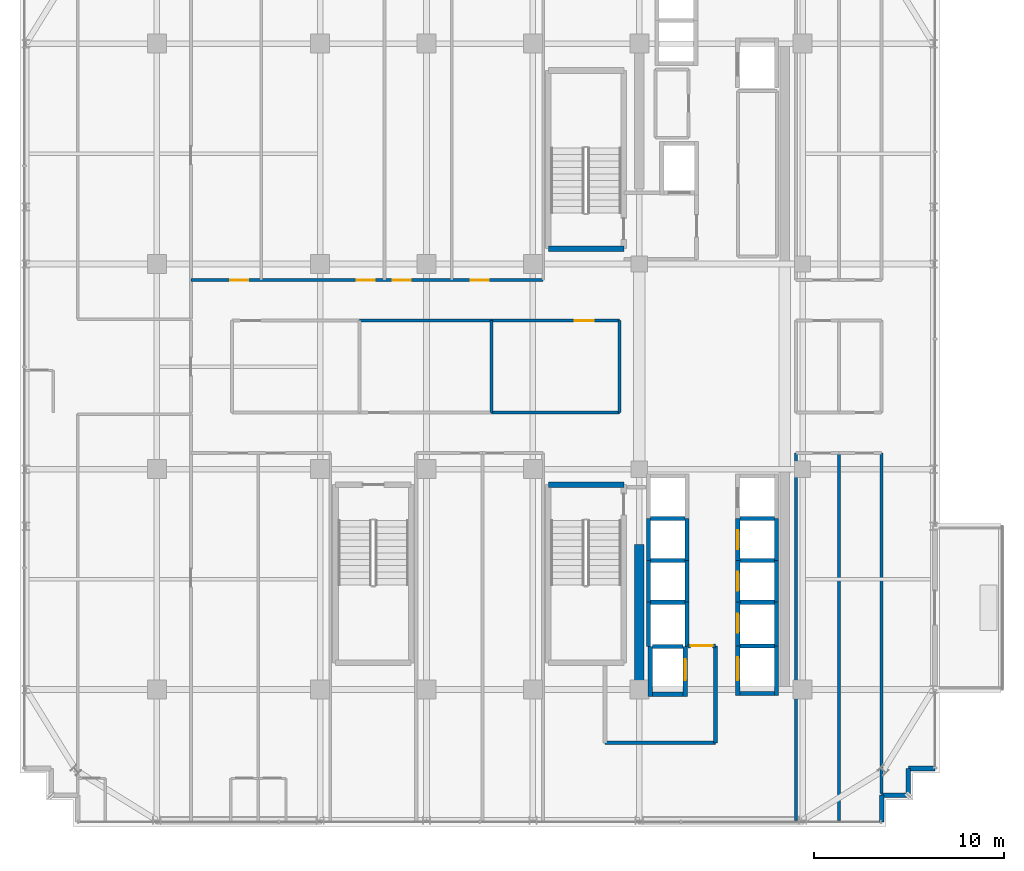
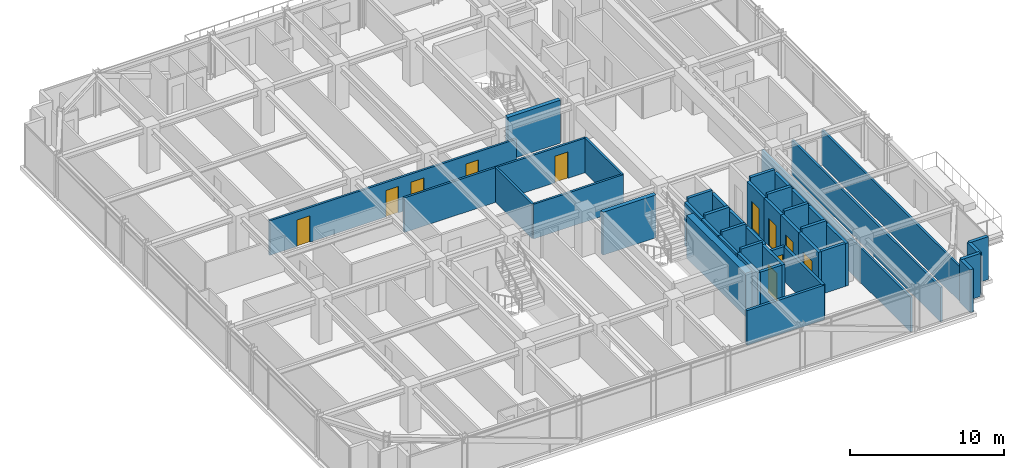
# One storey, part 37 of 43: 45 walls, 11 doors, 11 openings.
"""IFC4 building model written with IfcOpenShell, lengths in metres."""

import ifcopenshell
import ifcopenshell.guid

model = None  # the IFC model being written
_history = None  # IfcOwnerHistory: only IFC2X3 demands one
_inside = {}  # id of a spatial element -> (the spatial element, [elements in it])
_under = {}  # id of a project, library or spatial element -> (it, [spatial elements below it])
_declared = {}  # id of a project -> (the project, [libraries it declares])
_typed = {}  # id of a type object -> (the type object, [elements of that type])
_made_of = {}  # id of a material, layer set ... -> (it, [elements and type objects made of it])


def new_model(schema):
    """Start an empty IFC model of exactly this schema.

    Asked for "IFC4X3", IfcOpenShell would pick the latest addendum, in which some entities
    have other attributes; the version numbers below select the first issue.
    IFC2X3 requires an IfcOwnerHistory on every rooted entity: one is made here for all.
    """
    global model, _history
    if schema == "IFC4X3":
        model = ifcopenshell.file(schema_version=(4, 3, 0, 0))
    else:
        model = ifcopenshell.file(schema=schema)
    _inside.clear()
    _under.clear()
    _declared.clear()
    _typed.clear()
    _made_of.clear()
    _history = None
    if model.schema == "IFC2X3":
        org = make("IfcOrganization", Name="unknown")
        user = make(
            "IfcPersonAndOrganization",
            ThePerson=make("IfcPerson", FamilyName="unknown"),
            TheOrganization=org,
        )
        app = make(
            "IfcApplication",
            ApplicationDeveloper=org,
            Version="unknown",
            ApplicationFullName="unknown",
            ApplicationIdentifier="unknown",
        )
        _history = make(
            "IfcOwnerHistory",
            OwningUser=user,
            OwningApplication=app,
            ChangeAction="ADDED",
            CreationDate=0,
        )
    return model


def make(cls, **values):
    """One entity of the class cls with the attributes given. An attribute that is None is left unset."""
    return model.create_entity(
        cls, **{name: value for name, value in values.items() if value is not None}
    )


def rooted(cls, **values):
    """An entity with a GlobalId (a new one), such as an element, a storey or a relation."""
    return make(cls, GlobalId=ifcopenshell.guid.new(), OwnerHistory=_history, **values)


def si_unit(unit_type, name, prefix=None):
    """IfcSIUnit, for example si_unit("LENGTHUNIT", "METRE", prefix="MILLI")."""
    return make("IfcSIUnit", UnitType=unit_type, Prefix=prefix, Name=name)


def assignment(units):
    """IfcUnitAssignment: the units of a project."""
    return None if units is None else make("IfcUnitAssignment", Units=units)


def point(xyz):
    """IfcCartesianPoint."""
    return None if xyz is None else make("IfcCartesianPoint", Coordinates=xyz)


def direction(xyz):
    """IfcDirection."""
    return None if xyz is None else make("IfcDirection", DirectionRatios=xyz)


def frame(location, z_axis=None, x_axis=None):
    """IfcAxis2Placement3D, a coordinate frame: its origin and axes. An axis left out is left unset."""
    return make(
        "IfcAxis2Placement3D",
        Location=point(location),
        Axis=direction(z_axis),
        RefDirection=direction(x_axis),
    )


def frame_2d(location, x_axis=None):
    """IfcAxis2Placement2D, a coordinate frame in the plane: its origin and x axis."""
    return make(
        "IfcAxis2Placement2D", Location=point(location), RefDirection=direction(x_axis)
    )


def origin():
    """The frame at (0, 0, 0) with its axes left unset."""
    return frame((0.0, 0.0, 0.0))


def place(relative_to, where):
    """IfcLocalPlacement: puts the frame where relative to a parent placement (None: the world)."""
    return make(
        "IfcLocalPlacement", PlacementRelTo=relative_to, RelativePlacement=where
    )


def context(
    kind, dimensions, precision=None, world=None, true_north=None, identifier=None
):
    """IfcGeometricRepresentationContext, for example the 3D "Model" context."""
    return make(
        "IfcGeometricRepresentationContext",
        ContextIdentifier=identifier,
        ContextType=kind,
        CoordinateSpaceDimension=dimensions,
        Precision=precision,
        WorldCoordinateSystem=world,
        TrueNorth=true_north,
    )


def subcontext(parent, identifier, kind, view, scale=None):
    """IfcGeometricRepresentationSubContext, for example "Body" below "Model"."""
    return make(
        "IfcGeometricRepresentationSubContext",
        ContextIdentifier=identifier,
        ContextType=kind,
        ParentContext=parent,
        TargetScale=scale,
        TargetView=view,
    )


def project(units=None, contexts=None):
    """IfcProject with its units and contexts."""
    return rooted(
        "IfcProject",
        Name="project",
        RepresentationContexts=contexts,
        UnitsInContext=assignment(units),
    )


def spatial(cls, under=None, at=None, **own):
    """A site, building, storey or space (cls), placed at a placement, below another one or the project."""
    s = rooted(cls, ObjectPlacement=at, **own)
    if under is not None:
        _under.setdefault(under.id(), (under, []))[1].append(s)
    return s


def profile(cls, at=None, kind="AREA", **sizes):
    """A parametric profile (cls). Its sizes go by their IFC names, for example OverallWidth=200.0."""
    return make(cls, ProfileType=kind, Position=at, **sizes)


def rectangle(**sizes):
    """IfcRectangleProfileDef."""
    return profile("IfcRectangleProfileDef", **sizes)


def extrude(swept, where, along, depth):
    """IfcExtrudedAreaSolid: the profile swept, set in the frame where, extruded along a direction by depth."""
    return make(
        "IfcExtrudedAreaSolid",
        SweptArea=swept,
        Position=where,
        ExtrudedDirection=direction(along),
        Depth=depth,
    )


def shape(context_of_items, identifier, shape_type, items):
    """IfcShapeRepresentation: the items that make up one representation, for example the "Body"."""
    return make(
        "IfcShapeRepresentation",
        ContextOfItems=context_of_items,
        RepresentationIdentifier=identifier,
        RepresentationType=shape_type,
        Items=items,
    )


def source(mapping_origin, context_of_items, identifier, shape_type, items):
    """IfcRepresentationMap: a shape defined once, which mapped items show again and again."""
    return make(
        "IfcRepresentationMap",
        MappingOrigin=mapping_origin,
        MappedRepresentation=shape(context_of_items, identifier, shape_type, items),
    )


def transform(
    local_origin,
    x_axis=None,
    y_axis=None,
    z_axis=None,
    scale=None,
    scale2=None,
    scale3=None,
    uniform=True,
):
    """IfcCartesianTransformationOperator3D, or its non-uniform kind. x_axis, y_axis, z_axis: its Axis1, 2, 3."""
    if uniform:
        return make(
            "IfcCartesianTransformationOperator3D",
            Axis1=direction(x_axis),
            Axis2=direction(y_axis),
            LocalOrigin=point(local_origin),
            Scale=scale,
            Axis3=direction(z_axis),
        )
    return make(
        "IfcCartesianTransformationOperator3DnonUniform",
        Axis1=direction(x_axis),
        Axis2=direction(y_axis),
        LocalOrigin=point(local_origin),
        Scale=scale,
        Axis3=direction(z_axis),
        Scale2=scale2,
        Scale3=scale3,
    )


def mapped(mapping_source, mapping_target):
    """IfcMappedItem: shows the shape of a source again, moved by a transform."""
    return make(
        "IfcMappedItem", MappingSource=mapping_source, MappingTarget=mapping_target
    )


def material(Name=None, Category=None):
    """IfcMaterial."""
    return make("IfcMaterial", Name=Name, Category=Category)


def layer(
    of_material, thickness, ventilated=None, Name=None, Category=None, Priority=None
):
    """IfcMaterialLayer: one layer of a wall or slab, of a material (None: an air gap)."""
    return make(
        "IfcMaterialLayer",
        Material=of_material,
        LayerThickness=thickness,
        IsVentilated=ventilated,
        Name=Name,
        Category=Category,
        Priority=Priority,
    )


def layer_set(layers, Name=None):
    """IfcMaterialLayerSet."""
    return make("IfcMaterialLayerSet", MaterialLayers=layers, LayerSetName=Name)


def made_of(thing, what):
    """Note that an element or type object is made of a material, layer set ...; save() writes the relation."""
    if what is not None:
        _made_of.setdefault(what.id(), (what, []))[1].append(thing)
    return thing


def type_object(cls, material=None, **own):
    """A type object (cls), such as IfcWallType, which elements share."""
    return made_of(rooted(cls, **own), material)


def element(
    cls,
    number,
    at=None,
    inside=None,
    cuts=None,
    type_object=None,
    material=None,
    context=None,
    identifier="Body",
    shape_type=None,
    held_by="IfcProductDefinitionShape",
    body=None,
    shapes=None,
    **own,
):
    """One element of the class cls, such as IfcWall. Its Tag is "e" and its number.

    at: its placement. inside: the storey or other place that contains it. cuts: it is an
    opening in that element (IfcRelVoidsElement). A single representation is given by context,
    identifier, shape_type and body (its items); several are given by shapes. held_by: the class
    of the entity that holds the representations. save() writes the other relations.
    """
    e = rooted(cls, Tag="e%d" % number, ObjectPlacement=at, **own)
    if body is not None:
        shapes = [shape(context, identifier, shape_type, body)]
    if shapes is not None:
        e.Representation = make(held_by, Representations=shapes)
    if inside is not None:
        _inside.setdefault(inside.id(), (inside, []))[1].append(e)
    if cuts is not None:
        rooted(
            "IfcRelVoidsElement", RelatingBuildingElement=cuts, RelatedOpeningElement=e
        )
    if type_object is not None:
        _typed.setdefault(type_object.id(), (type_object, []))[1].append(e)
    return made_of(e, material)


def fill(opening, filler):
    """IfcRelFillsElement: the door or window that sits in an opening."""
    return rooted(
        "IfcRelFillsElement",
        RelatingOpeningElement=opening,
        RelatedBuildingElement=filler,
    )


def aggregate(whole, parts):
    """IfcRelAggregates: a whole, such as a stair, and the parts it consists of."""
    return rooted("IfcRelAggregates", RelatingObject=whole, RelatedObjects=parts)


def save(model, path):
    """Write the relations noted so far, then the file.

    IfcRelAggregates (storeys below a building ...), IfcRelContainedInSpatialStructure (elements
    in a storey), IfcRelDefinesByType, IfcRelAssociatesMaterial and IfcRelDeclares: one each for
    every whole, place, type object, material and project.
    """
    for whole, parts in _under.values():
        aggregate(whole, parts)
    for where, things in _inside.values():
        rooted(
            "IfcRelContainedInSpatialStructure",
            RelatedElements=things,
            RelatingStructure=where,
        )
    for kind, things in _typed.values():
        rooted("IfcRelDefinesByType", RelatedObjects=things, RelatingType=kind)
    for what, things in _made_of.values():
        rooted("IfcRelAssociatesMaterial", RelatedObjects=things, RelatingMaterial=what)
    for by, libraries in _declared.values():
        rooted("IfcRelDeclares", RelatingContext=by, RelatedDefinitions=libraries)
    model.write(path)


model = new_model("IFC4")

# Units and contexts
model_context = context("Model", 3, precision=1e-05, world=origin(), true_north=direction((0.0, 1.0)))
body_context = subcontext(model_context, "Body", "Model", "MODEL_VIEW")
ifc_project = project(units=[si_unit("LENGTHUNIT", "METRE"), si_unit("AREAUNIT", "SQUARE_METRE"), si_unit("VOLUMEUNIT", "CUBIC_METRE"), si_unit("PLANEANGLEUNIT", "RADIAN"), si_unit("MASSUNIT", "GRAM", prefix="KILO")], contexts=[model_context])

# Site, building, storey
site_placement = place(None, origin())
site = spatial("IfcSite", under=ifc_project, at=site_placement, CompositionType="ELEMENT")
building_placement = place(site_placement, origin())
building = spatial("IfcBuilding", under=site, at=building_placement, Name="Nahalor Promenade Grand Hotel", CompositionType="ELEMENT")
storey_placement = place(building_placement, frame((0.0, 0.0, 204.89990234375)))
storey = spatial("IfcBuildingStorey", under=building, at=storey_placement, Name="L52", CompositionType="ELEMENT", Elevation=204.89990234375)

# Walls
ifc_material_1 = material(Name="Concrete B-60 (C50/60)", Category="concrete")
ifc_layer_1 = layer(ifc_material_1, 0.5)
ifc_layer_set_1 = layer_set([ifc_layer_1], Name="Concrete B-60 (C50/60)")
wall_type_1 = type_object("IfcWallType", Name="Wall-CoreShear-500", PredefinedType="SHEAR", material=ifc_layer_set_1)
shared_shape_1 = source(origin(), body_context, "Body", "SweptSolid", [
    extrude(rectangle(XDim=7.64990234375, YDim=0.5, at=frame_2d((3.824951171875, 0.0))), origin(), (0.0, 0.0, 1.0), 3.41015625),
])
wall_1_placement = place(storey_placement, frame((8.39990234375, -17.0, 0.0), z_axis=(0.0, 0.0, 1.0), x_axis=(0.0, 1.0, 0.0)))
element("IfcWall", 1, at=wall_1_placement, inside=storey, type_object=wall_type_1, Name="CWALL-L52-SW", PredefinedType="SHEAR", context=body_context, shape_type="MappedRepresentation", body=[
    mapped(shared_shape_1, transform((0.0, 0.0, 0.0), scale=1.0)),
])
ifc_material_2 = material(Name="Concrete B-50 (C40/50)", Category="concrete")
ifc_layer_2 = layer(ifc_material_2, 0.300048828125)
ifc_layer_set_2 = layer_set([ifc_layer_2], Name="Concrete B-50 (C40/50)")
wall_type_2 = type_object("IfcWallType", Name="Wall-ShaftShear-300", PredefinedType="SHEAR", material=ifc_layer_set_2)
shared_shape_2 = source(origin(), body_context, "Body", "SweptSolid", [
    extrude(rectangle(XDim=3.97998046875, YDim=0.300048828125, at=frame_2d((1.989990234375, 0.0))), origin(), (0.0, 0.0, 1.0), 3.41015625),
])
for number, where, z_axis, x_axis, name in (
    (2, (3.610107421875, 6.2099609375, 0.0), (0.0, 0.0, 1.0), (1.0, 0.0, 0.0), "L52 Exit Stair ST1 Shaft Wall S"),
    (3, (3.610107421875, -6.2099609375, 0.0), (0.0, 0.0, 1.0), (1.0, 0.0, 0.0), "L52 Exit Stair ST2 Shaft Wall N"),
):
    element("IfcWall", number, at=place(storey_placement, frame(where, z_axis=z_axis, x_axis=x_axis)), inside=storey, type_object=wall_type_2, Name=name, PredefinedType="SHEAR", context=body_context, shape_type="MappedRepresentation", body=[
        mapped(shared_shape_2, transform((0.0, 0.0, 0.0), scale=1.0)),
    ])
ifc_layer_3 = layer(ifc_material_2, 0.219970703125)
ifc_layer_set_3 = layer_set([ifc_layer_3], Name="Concrete B-50 (C40/50)")
wall_type_3 = type_object("IfcWallType", Name="Wall-LiftShaft-220", PredefinedType="SHEAR", material=ifc_layer_set_3)
shared_shape_3 = source(origin(), body_context, "Body", "SweptSolid", [
    extrude(rectangle(XDim=1.820068359375, YDim=0.219970703125, at=frame_2d((0.91015625, 0.0))), origin(), (0.0, 0.0, 1.0), 3.41015625),
])
wall_2_placement = place(storey_placement, frame((13.68994140625, -17.199951171875, 0.0), z_axis=(0.0, 0.0, 1.0), x_axis=(1.0, 0.0, 0.0)))
element("IfcWall", 4, at=wall_2_placement, inside=storey, type_object=wall_type_3, Name="L52 Lift SV2 Hoistway Wall S", PredefinedType="SHEAR", context=body_context, shape_type="MappedRepresentation", body=[
    mapped(shared_shape_3, transform((0.0, 0.0, 0.0), scale=1.0)),
])

# Wall, opening, door
shared_shape_4 = source(origin(), body_context, "Body", "SweptSolid", [
    extrude(rectangle(XDim=2.199951171875, YDim=0.219970703125, at=frame_2d((1.10009765625, 0.0))), origin(), (0.0, 0.0, 1.0), 3.41015625),
])
wall_3_placement = place(storey_placement, frame((13.580078125, -10.199951171875, 0.0), z_axis=(0.0, 0.0, 1.0), x_axis=(0.0, 1.0, 0.0)))
wall_3 = element("IfcWall", 5, at=wall_3_placement, inside=storey, type_object=wall_type_3, Name="L52 Lift PL6 Hoistway Wall W", PredefinedType="SHEAR", context=body_context, shape_type="MappedRepresentation", body=[
    mapped(shared_shape_4, transform((0.0, 0.0, 0.0), scale=1.0)),
])
opening_1_placement = place(wall_3_placement, frame((0.60009765625, 0.0, 0.0)))
opening_1 = element("IfcOpeningElement", 6, at=opening_1_placement, cuts=wall_3, Name="Opening LD-01", PredefinedType="OPENING", context=body_context, shape_type="SweptSolid", body=[
    extrude(rectangle(XDim=1.0, YDim=2.199951171875, at=frame_2d((0.5, 1.10009765625))), frame((0.0, 0.119873046875, 0.0), z_axis=(0.0, -1.0, 0.0), x_axis=(1.0, 0.0, 0.0)), (0.0, 0.0, 1.0), 0.239990234375),
])
ifc_material_3 = material(Name="Steel S355JR", Category="steel")
door_type_1 = type_object("IfcDoorType", Name="Door-LiftLanding-1000", OperationType="DOUBLE_DOOR_SLIDING", PredefinedType="DOOR", material=ifc_material_3)
shared_shape_5 = source(origin(), body_context, "Body", "SweptSolid", [
    extrude(rectangle(XDim=1.0, YDim=2.199951171875, at=frame_2d((0.5, 1.10009765625))), frame((0.0, 0.02490234375, 0.0), z_axis=(0.0, -1.0, 0.0), x_axis=(1.0, 0.0, 0.0)), (0.0, 0.0, 1.0), 0.050048828125),
])
door_1_placement = place(opening_1_placement, origin())
door_1 = element("IfcDoor", 7, at=door_1_placement, inside=storey, type_object=door_type_1, Name="DR-LIFT-PL6-L52", OperationType="DOUBLE_DOOR_SLIDING", OverallHeight=2.199951171875, OverallWidth=1.0, PredefinedType="DOOR", context=body_context, shape_type="MappedRepresentation", body=[
    mapped(shared_shape_5, transform((0.0, 0.0, 0.0), scale=1.0)),
])
fill(opening_1, door_1)

# Wall
wall_4_placement = place(storey_placement, frame((15.6201171875, -10.199951171875, 0.0), z_axis=(0.0, 0.0, 1.0), x_axis=(0.0, 1.0, 0.0)))
element("IfcWall", 8, at=wall_4_placement, inside=storey, type_object=wall_type_3, Name="L52 Lift PL6 Hoistway Wall E", PredefinedType="SHEAR", context=body_context, shape_type="MappedRepresentation", body=[
    mapped(shared_shape_4, transform((0.0, 0.0, 0.0), scale=1.0)),
])

# Wall, opening, door
wall_5_placement = place(storey_placement, frame((13.580078125, -12.39990234375, 0.0), z_axis=(0.0, 0.0, 1.0), x_axis=(0.0, 1.0, 0.0)))
wall_5 = element("IfcWall", 9, at=wall_5_placement, inside=storey, type_object=wall_type_3, Name="L52 Lift PL7 Hoistway Wall W", PredefinedType="SHEAR", context=body_context, shape_type="MappedRepresentation", body=[
    mapped(shared_shape_4, transform((0.0, 0.0, 0.0), scale=1.0)),
])
opening_2_placement = place(wall_5_placement, frame((0.60009765625, 0.0, 0.0)))
opening_2 = element("IfcOpeningElement", 10, at=opening_2_placement, cuts=wall_5, Name="Opening LD-01", PredefinedType="OPENING", context=body_context, shape_type="SweptSolid", body=[
    extrude(rectangle(XDim=1.0, YDim=2.199951171875, at=frame_2d((0.5, 1.10009765625))), frame((0.0, 0.119873046875, 0.0), z_axis=(0.0, -1.0, 0.0), x_axis=(1.0, 0.0, 0.0)), (0.0, 0.0, 1.0), 0.239990234375),
])
door_2_placement = place(opening_2_placement, origin())
door_2 = element("IfcDoor", 11, at=door_2_placement, inside=storey, type_object=door_type_1, Name="DR-LIFT-PL7-L52", OperationType="DOUBLE_DOOR_SLIDING", OverallHeight=2.199951171875, OverallWidth=1.0, PredefinedType="DOOR", context=body_context, shape_type="MappedRepresentation", body=[
    mapped(shared_shape_5, transform((0.0, 0.0, 0.0), scale=1.0)),
])
fill(opening_2, door_2)

# Walls
for number, where, z_axis, x_axis, name in (
    (12, (15.6201171875, -12.39990234375, 0.0), (0.0, 0.0, 1.0), (0.0, 1.0, 0.0), "L52 Lift PL7 Hoistway Wall E"),
    (13, (8.8798828125, -10.199951171875, 0.0), (0.0, 0.0, 1.0), (0.0, 1.0, 0.0), "L52 Lift PL10 Hoistway Wall W"),
    (14, (10.919921875, -10.199951171875, 0.0), (0.0, 0.0, 1.0), (0.0, 1.0, 0.0), "L52 Lift PL10 Hoistway Wall E"),
    (15, (8.8798828125, -12.39990234375, 0.0), (0.0, 0.0, 1.0), (0.0, 1.0, 0.0), "L52 Lift PL11 Hoistway Wall W"),
    (16, (10.919921875, -12.39990234375, 0.0), (0.0, 0.0, 1.0), (0.0, 1.0, 0.0), "L52 Lift PL11 Hoistway Wall E"),
):
    element("IfcWall", number, at=place(storey_placement, frame(where, z_axis=z_axis, x_axis=x_axis)), inside=storey, type_object=wall_type_3, Name=name, PredefinedType="SHEAR", context=body_context, shape_type="MappedRepresentation", body=[
        mapped(shared_shape_4, transform((0.0, 0.0, 0.0), scale=1.0)),
    ])
shared_shape_6 = source(origin(), body_context, "Body", "SweptSolid", [
    extrude(rectangle(XDim=1.820068359375, YDim=0.219970703125, at=frame_2d((0.91015625, 0.0))), origin(), (0.0, 0.0, 1.0), 3.7001953125),
])
for number, where, z_axis, x_axis, name in (
    (17, (13.68994140625, -8.0, 0.0), (0.0, 0.0, 1.0), (1.0, 0.0, 0.0), "L52 Lift PL6 Hoistway Wall N"),
    (18, (13.68994140625, -10.199951171875, 0.0), (0.0, 0.0, 1.0), (1.0, 0.0, 0.0), "L52 Lift PL7 Hoistway Wall N"),
    (19, (13.68994140625, -12.39990234375, 0.0), (0.0, 0.0, 1.0), (1.0, 0.0, 0.0), "L52 Lift PL8 Hoistway Wall N"),
    (20, (8.989990234375, -8.0, 0.0), (0.0, 0.0, 1.0), (1.0, 0.0, 0.0), "L52 Lift PL10 Hoistway Wall N"),
    (21, (8.989990234375, -10.199951171875, 0.0), (0.0, 0.0, 1.0), (1.0, 0.0, 0.0), "L52 Lift PL11 Hoistway Wall N"),
    (22, (8.989990234375, -12.39990234375, 0.0), (0.0, 0.0, 1.0), (1.0, 0.0, 0.0), "L52 Lift PL12 Hoistway Wall N"),
    (23, (13.68994140625, -14.699951171875, 0.0), (0.0, 0.0, 1.0), (1.0, 0.0, 0.0), "L52 Lift SV2 Hoistway Wall N"),
):
    element("IfcWall", number, at=place(storey_placement, frame(where, z_axis=z_axis, x_axis=x_axis)), inside=storey, type_object=wall_type_3, Name=name, PredefinedType="SHEAR", context=body_context, shape_type="MappedRepresentation", body=[
        mapped(shared_shape_6, transform((0.0, 0.0, 0.0), scale=1.0)),
    ])

# Wall, opening, door
shared_shape_7 = source(origin(), body_context, "Body", "SweptSolid", [
    extrude(rectangle(XDim=2.300048828125, YDim=0.219970703125, at=frame_2d((1.14990234375, 0.0))), origin(), (0.0, 0.0, 1.0), 3.41015625),
])
wall_6_placement = place(storey_placement, frame((13.580078125, -14.699951171875, 0.0), z_axis=(0.0, 0.0, 1.0), x_axis=(0.0, 1.0, 0.0)))
wall_6 = element("IfcWall", 24, at=wall_6_placement, inside=storey, type_object=wall_type_3, Name="L52 Lift PL8 Hoistway Wall W", PredefinedType="SHEAR", context=body_context, shape_type="MappedRepresentation", body=[
    mapped(shared_shape_7, transform((0.0, 0.0, 0.0), scale=1.0)),
])
opening_3_placement = place(wall_6_placement, frame((0.699951171875, 0.0, 0.0)))
opening_3 = element("IfcOpeningElement", 25, at=opening_3_placement, cuts=wall_6, Name="Opening LD-01", PredefinedType="OPENING", context=body_context, shape_type="SweptSolid", body=[
    extrude(rectangle(XDim=1.0, YDim=2.199951171875, at=frame_2d((0.5, 1.10009765625))), frame((0.0, 0.119873046875, 0.0), z_axis=(0.0, -1.0, 0.0), x_axis=(1.0, 0.0, 0.0)), (0.0, 0.0, 1.0), 0.239990234375),
])
door_3_placement = place(opening_3_placement, origin())
door_3 = element("IfcDoor", 26, at=door_3_placement, inside=storey, type_object=door_type_1, Name="DR-LIFT-PL8-L52", OperationType="DOUBLE_DOOR_SLIDING", OverallHeight=2.199951171875, OverallWidth=1.0, PredefinedType="DOOR", context=body_context, shape_type="MappedRepresentation", body=[
    mapped(shared_shape_5, transform((0.0, 0.0, 0.0), scale=1.0)),
])
fill(opening_3, door_3)

# Walls
wall_7_placement = place(storey_placement, frame((15.6201171875, -14.699951171875, 0.0), z_axis=(0.0, 0.0, 1.0), x_axis=(0.0, 1.0, 0.0)))
element("IfcWall", 27, at=wall_7_placement, inside=storey, type_object=wall_type_3, Name="L52 Lift PL8 Hoistway Wall E", PredefinedType="SHEAR", context=body_context, shape_type="MappedRepresentation", body=[
    mapped(shared_shape_7, transform((0.0, 0.0, 0.0), scale=1.0)),
])
shared_shape_8 = source(origin(), body_context, "Body", "SweptSolid", [
    extrude(rectangle(XDim=2.3251953125, YDim=0.219970703125, at=frame_2d((1.16259765625, 0.0))), origin(), (0.0, 0.0, 1.0), 3.41015625),
])
for number, where, z_axis, x_axis, name in (
    (28, (8.8798828125, -14.72509765625, 0.0), (0.0, 0.0, 1.0), (0.0, 1.0, 0.0), "L52 Lift PL12 Hoistway Wall W"),
    (29, (10.919921875, -14.72509765625, 0.0), (0.0, 0.0, 1.0), (0.0, 1.0, 0.0), "L52 Lift PL12 Hoistway Wall E"),
):
    element("IfcWall", number, at=place(storey_placement, frame(where, z_axis=z_axis, x_axis=x_axis)), inside=storey, type_object=wall_type_3, Name=name, PredefinedType="SHEAR", context=body_context, shape_type="MappedRepresentation", body=[
        mapped(shared_shape_8, transform((0.0, 0.0, 0.0), scale=1.0)),
    ])
shared_shape_9 = source(origin(), body_context, "Body", "SweptSolid", [
    extrude(rectangle(XDim=2.635009765625, YDim=0.219970703125, at=frame_2d((1.3173828125, 0.0))), origin(), (0.0, 0.0, 1.0), 3.41015625),
])
wall_8_placement = place(storey_placement, frame((8.97998046875, -17.360107421875, 0.0), z_axis=(0.0, 0.0, 1.0), x_axis=(0.0, 1.0, 0.0)))
element("IfcWall", 30, at=wall_8_placement, inside=storey, type_object=wall_type_3, Name="L52 Lift FL2 Hoistway Wall W", PredefinedType="SHEAR", context=body_context, shape_type="MappedRepresentation", body=[
    mapped(shared_shape_9, transform((0.0, 0.0, 0.0), scale=1.0)),
])

# Wall, opening, door
wall_9_placement = place(storey_placement, frame((10.820068359375, -17.360107421875, 0.0), z_axis=(0.0, 0.0, 1.0), x_axis=(0.0, 1.0, 0.0)))
wall_9 = element("IfcWall", 31, at=wall_9_placement, inside=storey, type_object=wall_type_3, Name="L52 Lift FL2 Hoistway Wall E", PredefinedType="SHEAR", context=body_context, shape_type="MappedRepresentation", body=[
    mapped(shared_shape_9, transform((0.0, 0.0, 0.0), scale=1.0)),
])
opening_4_placement = place(wall_9_placement, frame((0.860107421875, 0.0, 0.0)))
opening_4 = element("IfcOpeningElement", 32, at=opening_4_placement, cuts=wall_9, Name="Opening LD-02", PredefinedType="OPENING", context=body_context, shape_type="SweptSolid", body=[
    extrude(rectangle(XDim=1.10009765625, YDim=2.199951171875, at=frame_2d((0.550048828125, 1.10009765625))), frame((0.0, 0.119873046875, 0.0), z_axis=(0.0, -1.0, 0.0), x_axis=(1.0, 0.0, 0.0)), (0.0, 0.0, 1.0), 0.239990234375),
])
door_type_2 = type_object("IfcDoorType", Name="Door-LiftFF-1100", OperationType="DOUBLE_DOOR_SLIDING", PredefinedType="DOOR", material=ifc_material_3)
shared_shape_10 = source(origin(), body_context, "Body", "SweptSolid", [
    extrude(rectangle(XDim=1.10009765625, YDim=2.199951171875, at=frame_2d((0.550048828125, 1.10009765625))), frame((0.0, 0.02490234375, 0.0), z_axis=(0.0, -1.0, 0.0), x_axis=(1.0, 0.0, 0.0)), (0.0, 0.0, 1.0), 0.050048828125),
])
door_4_placement = place(opening_4_placement, frame((1.10009765625, 0.0, 0.0), z_axis=(0.0, 0.0, 1.0), x_axis=(-1.0, 0.0, 0.0)))
door_4 = element("IfcDoor", 33, at=door_4_placement, inside=storey, type_object=door_type_2, Name="DR-LIFT-FL2-L52", OperationType="DOUBLE_DOOR_SLIDING", OverallHeight=2.199951171875, OverallWidth=1.10009765625, PredefinedType="DOOR", context=body_context, shape_type="MappedRepresentation", body=[
    mapped(shared_shape_10, transform((0.0, 0.0, 0.0), scale=1.0)),
])
fill(opening_4, door_4)

# Walls
shared_shape_11 = source(origin(), body_context, "Body", "SweptSolid", [
    extrude(rectangle(XDim=1.619873046875, YDim=0.219970703125, at=frame_2d((0.81005859375, 0.0))), origin(), (0.0, 0.0, 1.0), 3.41015625),
])
wall_10_placement = place(storey_placement, frame((9.090087890625, -17.25, 0.0), z_axis=(0.0, 0.0, 1.0), x_axis=(1.0, 0.0, 0.0)))
element("IfcWall", 34, at=wall_10_placement, inside=storey, type_object=wall_type_3, Name="L52 Lift FL2 Hoistway Wall S", PredefinedType="SHEAR", context=body_context, shape_type="MappedRepresentation", body=[
    mapped(shared_shape_11, transform((0.0, 0.0, 0.0), scale=1.0)),
])
shared_shape_12 = source(origin(), body_context, "Body", "SweptSolid", [
    extrude(rectangle(XDim=1.619873046875, YDim=0.219970703125, at=frame_2d((0.81005859375, 0.0))), origin(), (0.0, 0.0, 1.0), 3.7001953125),
])
wall_11_placement = place(storey_placement, frame((9.090087890625, -14.72509765625, 0.0), z_axis=(0.0, 0.0, 1.0), x_axis=(1.0, 0.0, 0.0)))
element("IfcWall", 35, at=wall_11_placement, inside=storey, type_object=wall_type_3, Name="L52 Lift FL2 Hoistway Wall N", PredefinedType="SHEAR", context=body_context, shape_type="MappedRepresentation", body=[
    mapped(shared_shape_12, transform((0.0, 0.0, 0.0), scale=1.0)),
])

# Wall, opening, door
shared_shape_13 = source(origin(), body_context, "Body", "SweptSolid", [
    extrude(rectangle(XDim=2.610107421875, YDim=0.219970703125, at=frame_2d((1.30517578125, 0.0))), origin(), (0.0, 0.0, 1.0), 3.41015625),
])
wall_12_placement = place(storey_placement, frame((13.580078125, -17.31005859375, 0.0), z_axis=(0.0, 0.0, 1.0), x_axis=(0.0, 1.0, 0.0)))
wall_12 = element("IfcWall", 36, at=wall_12_placement, inside=storey, type_object=wall_type_3, Name="L52 Lift SV2 Hoistway Wall W", PredefinedType="SHEAR", context=body_context, shape_type="MappedRepresentation", body=[
    mapped(shared_shape_13, transform((0.0, 0.0, 0.0), scale=1.0)),
])
opening_5_placement = place(wall_12_placement, frame((0.81005859375, 0.0, 0.0)))
opening_5 = element("IfcOpeningElement", 37, at=opening_5_placement, cuts=wall_12, Name="Opening LD-03", PredefinedType="OPENING", context=body_context, shape_type="SweptSolid", body=[
    extrude(rectangle(XDim=1.199951171875, YDim=2.199951171875, at=frame_2d((0.60009765625, 1.10009765625))), frame((0.0, 0.119873046875, 0.0), z_axis=(0.0, -1.0, 0.0), x_axis=(1.0, 0.0, 0.0)), (0.0, 0.0, 1.0), 0.239990234375),
])
door_type_3 = type_object("IfcDoorType", Name="Door-LiftService-1200", OperationType="DOUBLE_DOOR_SLIDING", PredefinedType="DOOR", material=ifc_material_3)
shared_shape_14 = source(origin(), body_context, "Body", "SweptSolid", [
    extrude(rectangle(XDim=1.199951171875, YDim=2.199951171875, at=frame_2d((0.60009765625, 1.10009765625))), frame((0.0, 0.02490234375, 0.0), z_axis=(0.0, -1.0, 0.0), x_axis=(1.0, 0.0, 0.0)), (0.0, 0.0, 1.0), 0.050048828125),
])
door_5_placement = place(opening_5_placement, origin())
door_5 = element("IfcDoor", 38, at=door_5_placement, inside=storey, type_object=door_type_3, Name="DR-LIFT-SV2-L52", OperationType="DOUBLE_DOOR_SLIDING", OverallHeight=2.199951171875, OverallWidth=1.199951171875, PredefinedType="DOOR", context=body_context, shape_type="MappedRepresentation", body=[
    mapped(shared_shape_14, transform((0.0, 0.0, 0.0), scale=1.0)),
])
fill(opening_5, door_5)

# Walls
wall_13_placement = place(storey_placement, frame((15.6201171875, -17.31005859375, 0.0), z_axis=(0.0, 0.0, 1.0), x_axis=(0.0, 1.0, 0.0)))
element("IfcWall", 39, at=wall_13_placement, inside=storey, type_object=wall_type_3, Name="L52 Lift SV2 Hoistway Wall E", PredefinedType="SHEAR", context=body_context, shape_type="MappedRepresentation", body=[
    mapped(shared_shape_13, transform((0.0, 0.0, 0.0), scale=1.0)),
])
ifc_material_4 = material(Name="Concrete B-40 (C32/40)", Category="concrete")
ifc_layer_4 = layer(ifc_material_4, 0.25)
ifc_layer_set_4 = layer_set([ifc_layer_4], Name="Concrete B-40 (C32/40)")
wall_type_4 = type_object("IfcWallType", Name="Wall-BronzePier-250", PredefinedType="STANDARD", material=ifc_layer_set_4)
shared_shape_15 = source(origin(), body_context, "Body", "SweptSolid", [
    extrude(rectangle(XDim=1.39990234375, YDim=0.25, at=frame_2d((0.699951171875, 0.0))), origin(), (0.0, 0.0, 1.0), 3.41015625),
])
for number, where, z_axis, x_axis, name in (
    (40, (21.159912109375, -23.9599609375, 0.0), (0.0, 0.0, 1.0), (0.0, 1.0, 0.0), "W-L52-SR-01"),
    (41, (22.56005859375, -21.159912109375, 0.0), (0.0, 0.0, 1.0), (1.0, 0.0, 0.0), "W-L52-SR-04"),
):
    element("IfcWall", number, at=place(storey_placement, frame(where, z_axis=z_axis, x_axis=x_axis)), inside=storey, type_object=wall_type_4, Name=name, PredefinedType="STANDARD", context=body_context, shape_type="MappedRepresentation", body=[
        mapped(shared_shape_15, transform((0.0, 0.0, 0.0), scale=1.0)),
    ])
shared_shape_16 = source(origin(), body_context, "Body", "SweptSolid", [
    extrude(rectangle(XDim=1.400146484375, YDim=0.25, at=frame_2d((0.7001953125, 0.0))), origin(), (0.0, 0.0, 1.0), 3.41015625),
])
for number, where, z_axis, x_axis, name in (
    (42, (21.159912109375, -22.56005859375, 0.0), (0.0, 0.0, 1.0), (1.0, 0.0, 0.0), "W-L52-SR-02"),
    (43, (22.56005859375, -22.56005859375, 0.0), (0.0, 0.0, 1.0), (0.0, 1.0, 0.0), "W-L52-SR-03"),
):
    element("IfcWall", number, at=place(storey_placement, frame(where, z_axis=z_axis, x_axis=x_axis)), inside=storey, type_object=wall_type_4, Name=name, PredefinedType="STANDARD", context=body_context, shape_type="MappedRepresentation", body=[
        mapped(shared_shape_16, transform((0.0, 0.0, 0.0), scale=1.0)),
    ])
ifc_layer_5 = layer(ifc_material_4, 0.199951171875)
ifc_layer_set_5 = layer_set([ifc_layer_5], Name="Concrete B-40 (C32/40)")
wall_type_5 = type_object("IfcWallType", Name="Wall-PartFire-200", PredefinedType="PARTITIONING", material=ifc_layer_set_5)
shared_shape_17 = source(origin(), body_context, "Body", "SweptSolid", [
    extrude(rectangle(XDim=5.81982421875, YDim=0.199951171875, at=frame_2d((2.909912109375, 0.0))), origin(), (0.0, 0.0, 1.0), 2.75),
])
wall_14_placement = place(storey_placement, frame((6.60009765625, -19.800048828125, 0.0), z_axis=(0.0, 0.0, 1.0), x_axis=(1.0, 0.0, 0.0)))
element("IfcWall", 44, at=wall_14_placement, inside=storey, type_object=wall_type_5, Name="W-L52-FF2-S1", PredefinedType="PARTITIONING", context=body_context, shape_type="MappedRepresentation", body=[
    mapped(shared_shape_17, transform((0.0, 0.0, 0.0), scale=1.0)),
])
shared_shape_18 = source(origin(), body_context, "Body", "SweptSolid", [
    extrude(rectangle(XDim=5.10009765625, YDim=0.199951171875, at=frame_2d((2.550048828125, 0.0))), origin(), (0.0, 0.0, 1.0), 2.75),
])
wall_15_placement = place(storey_placement, frame((12.419921875, -19.800048828125, 0.0), z_axis=(0.0, 0.0, 1.0), x_axis=(0.0, 1.0, 0.0)))
element("IfcWall", 45, at=wall_15_placement, inside=storey, type_object=wall_type_5, Name="W-L52-FF2-E", PredefinedType="PARTITIONING", context=body_context, shape_type="MappedRepresentation", body=[
    mapped(shared_shape_18, transform((0.0, 0.0, 0.0), scale=1.0)),
])

# Wall, opening, door
shared_shape_19 = source(origin(), body_context, "Body", "SweptSolid", [
    extrude(rectangle(XDim=1.4599609375, YDim=0.199951171875, at=frame_2d((0.72998046875, 0.0))), origin(), (0.0, 0.0, 1.0), 2.75),
])
wall_16_placement = place(storey_placement, frame((10.9599609375, -14.699951171875, 0.0), z_axis=(0.0, 0.0, 1.0), x_axis=(1.0, 0.0, 0.0)))
wall_16 = element("IfcWall", 46, at=wall_16_placement, inside=storey, type_object=wall_type_5, Name="W-L52-FF2-N1", PredefinedType="PARTITIONING", context=body_context, shape_type="MappedRepresentation", body=[
    mapped(shared_shape_19, transform((0.0, 0.0, 0.0), scale=1.0)),
])
opening_6_placement = place(wall_16_placement, frame((0.14501953125, 0.0, 0.0)))
opening_6 = element("IfcOpeningElement", 47, at=opening_6_placement, cuts=wall_16, Name="Opening D-FF1", PredefinedType="OPENING", context=body_context, shape_type="SweptSolid", body=[
    extrude(rectangle(XDim=1.14990234375, YDim=2.14990234375, at=frame_2d((0.574951171875, 1.074951171875))), frame((0.0, 0.10986328125, 0.0), z_axis=(0.0, -1.0, 0.0), x_axis=(1.0, 0.0, 0.0)), (0.0, 0.0, 1.0), 0.219970703125),
])
door_type_4 = type_object("IfcDoorType", Name="Door-FFLobby-1150", OperationType="NOTDEFINED", PredefinedType="DOOR", material=ifc_material_3)
shared_shape_20 = source(origin(), body_context, "Body", "SweptSolid", [
    extrude(rectangle(XDim=1.14990234375, YDim=2.14990234375, at=frame_2d((0.574951171875, 1.074951171875))), frame((0.0, 0.02490234375, 0.0), z_axis=(0.0, -1.0, 0.0), x_axis=(1.0, 0.0, 0.0)), (0.0, 0.0, 1.0), 0.050048828125),
])
door_6_placement = place(opening_6_placement, origin())
door_6 = element("IfcDoor", 48, at=door_6_placement, inside=storey, type_object=door_type_4, Name="DR-L52-FFL2", OperationType="SINGLE_SWING_LEFT", OverallHeight=2.14990234375, OverallWidth=1.14990234375, PredefinedType="DOOR", context=body_context, shape_type="MappedRepresentation", body=[
    mapped(shared_shape_20, transform((0.0, 0.0, 0.0), scale=1.0)),
])
fill(opening_6, door_6)

# Walls
ifc_material_5 = material(Name="Acoustic Mineral Gypsum", Category="gypsum")
ifc_layer_6 = layer(ifc_material_5, 0.159912109375)
ifc_layer_set_6 = layer_set([ifc_layer_6], Name="Acoustic Mineral Gypsum")
wall_type_6 = type_object("IfcWallType", Name="Wall-PartCorridor-160", PredefinedType="PARTITIONING", material=ifc_layer_set_6)
shared_shape_21 = source(origin(), body_context, "Body", "SweptSolid", [
    extrude(rectangle(XDim=19.349853515625, YDim=0.159912109375, at=frame_2d((9.6748046875, 0.0))), origin(), (0.0, 0.0, 1.0), 2.75),
])
for number, where, z_axis, x_axis, name in (
    (49, (16.64990234375, -23.89990234375, 0.0), (0.0, 0.0, 1.0), (0.0, 1.0, 0.0), "W-L52-ESE1-W"),
    (50, (18.905029296875, -23.89990234375, 0.0), (0.0, 0.0, 1.0), (0.0, 1.0, 0.0), "W-L52-ESE1-E"),
):
    element("IfcWall", number, at=place(storey_placement, frame(where, z_axis=z_axis, x_axis=x_axis)), inside=storey, type_object=wall_type_6, Name=name, PredefinedType="PARTITIONING", context=body_context, shape_type="MappedRepresentation", body=[
        mapped(shared_shape_21, transform((0.0, 0.0, 0.0), scale=1.0)),
    ])
shared_shape_22 = source(origin(), body_context, "Body", "SweptSolid", [
    extrude(rectangle(XDim=17.929931640625, YDim=0.159912109375, at=frame_2d((8.96484375, 0.0))), origin(), (0.0, 0.0, 1.0), 2.75),
])
wall_17_placement = place(storey_placement, frame((21.159912109375, -22.47998046875, 0.0), z_axis=(0.0, 0.0, 1.0), x_axis=(0.0, 1.0, 0.0)))
element("IfcWall", 51, at=wall_17_placement, inside=storey, type_object=wall_type_6, Name="W-L52-ESE2-E", PredefinedType="PARTITIONING", context=body_context, shape_type="MappedRepresentation", body=[
    mapped(shared_shape_22, transform((0.0, 0.0, 0.0), scale=1.0)),
])

# Wall, openings, doors
shared_shape_23 = source(origin(), body_context, "Body", "SweptSolid", [
    extrude(rectangle(XDim=18.5400390625, YDim=0.159912109375, at=frame_2d((9.27001953125, 0.0))), origin(), (0.0, 0.0, 1.0), 2.75),
])
wall_18_placement = place(storey_placement, frame((-15.199951171875, 4.550048828125, 0.0), z_axis=(0.0, 0.0, 1.0), x_axis=(1.0, 0.0, 0.0)))
wall_18 = element("IfcWall", 52, at=wall_18_placement, inside=storey, type_object=wall_type_6, Name="W-L52-CORR-N", PredefinedType="PARTITIONING", context=body_context, shape_type="MappedRepresentation", body=[
    mapped(shared_shape_23, transform((0.0, 0.0, 0.0), scale=1.0)),
])
opening_7_placement = place(wall_18_placement, frame((2.056884765625, 0.0, 0.0)))
opening_7 = element("IfcOpeningElement", 53, at=opening_7_placement, cuts=wall_18, Name="Opening D-01", PredefinedType="OPENING", context=body_context, shape_type="SweptSolid", body=[
    extrude(rectangle(XDim=0.949951171875, YDim=2.10009765625, at=frame_2d((0.47509765625, 1.050048828125))), frame((0.0, 0.08984375, 0.0), z_axis=(0.0, -1.0, 0.0), x_axis=(1.0, 0.0, 0.0)), (0.0, 0.0, 1.0), 0.179931640625),
])
opening_8_placement = place(wall_18_placement, frame((8.72900390625, 0.0, 0.0)))
opening_8 = element("IfcOpeningElement", 54, at=opening_8_placement, cuts=wall_18, Name="Opening D-01", PredefinedType="OPENING", context=body_context, shape_type="SweptSolid", body=[
    extrude(rectangle(XDim=0.949951171875, YDim=2.10009765625, at=frame_2d((0.47509765625, 1.050048828125))), frame((0.0, 0.08984375, 0.0), z_axis=(0.0, -1.0, 0.0), x_axis=(1.0, 0.0, 0.0)), (0.0, 0.0, 1.0), 0.179931640625),
])
opening_9_placement = place(wall_18_placement, frame((10.631103515625, 0.0, 0.0)))
opening_9 = element("IfcOpeningElement", 55, at=opening_9_placement, cuts=wall_18, Name="Opening D-01", PredefinedType="OPENING", context=body_context, shape_type="SweptSolid", body=[
    extrude(rectangle(XDim=0.949951171875, YDim=2.10009765625, at=frame_2d((0.47509765625, 1.050048828125))), frame((0.0, 0.08984375, 0.0), z_axis=(0.0, -1.0, 0.0), x_axis=(1.0, 0.0, 0.0)), (0.0, 0.0, 1.0), 0.179931640625),
])
opening_10_placement = place(wall_18_placement, frame((14.737060546875, 0.0, 0.0)))
opening_10 = element("IfcOpeningElement", 56, at=opening_10_placement, cuts=wall_18, Name="Opening D-01", PredefinedType="OPENING", context=body_context, shape_type="SweptSolid", body=[
    extrude(rectangle(XDim=0.949951171875, YDim=2.10009765625, at=frame_2d((0.47509765625, 1.050048828125))), frame((0.0, 0.08984375, 0.0), z_axis=(0.0, -1.0, 0.0), x_axis=(1.0, 0.0, 0.0)), (0.0, 0.0, 1.0), 0.179931640625),
])
ifc_material_6 = material(Name="Fire-Rated Timber Composite", Category="wood")
door_type_5 = type_object("IfcDoorType", Name="Door-GuestEntry-950", OperationType="NOTDEFINED", PredefinedType="DOOR", material=ifc_material_6)
shared_shape_24 = source(origin(), body_context, "Body", "SweptSolid", [
    extrude(rectangle(XDim=0.949951171875, YDim=2.10009765625, at=frame_2d((0.47509765625, 1.050048828125))), frame((0.0, 0.02490234375, 0.0), z_axis=(0.0, -1.0, 0.0), x_axis=(1.0, 0.0, 0.0)), (0.0, 0.0, 1.0), 0.050048828125),
])
door_7_placement = place(opening_7_placement, origin())
door_7 = element("IfcDoor", 57, at=door_7_placement, inside=storey, type_object=door_type_5, Name="DR-L52-N1-ENT", OperationType="SINGLE_SWING_LEFT", OverallHeight=2.10009765625, OverallWidth=0.949951171875, PredefinedType="DOOR", context=body_context, shape_type="MappedRepresentation", body=[
    mapped(shared_shape_24, transform((0.0, 0.0, 0.0), scale=1.0)),
])
fill(opening_7, door_7)
door_8_placement = place(opening_8_placement, origin())
door_8 = element("IfcDoor", 58, at=door_8_placement, inside=storey, type_object=door_type_5, Name="DR-L52-N2-ENT", OperationType="SINGLE_SWING_LEFT", OverallHeight=2.10009765625, OverallWidth=0.949951171875, PredefinedType="DOOR", context=body_context, shape_type="MappedRepresentation", body=[
    mapped(shared_shape_24, transform((0.0, 0.0, 0.0), scale=1.0)),
])
fill(opening_8, door_8)
door_9_placement = place(opening_9_placement, origin())
door_9 = element("IfcDoor", 59, at=door_9_placement, inside=storey, type_object=door_type_5, Name="DR-L52-N3-ENT", OperationType="SINGLE_SWING_LEFT", OverallHeight=2.10009765625, OverallWidth=0.949951171875, PredefinedType="DOOR", context=body_context, shape_type="MappedRepresentation", body=[
    mapped(shared_shape_24, transform((0.0, 0.0, 0.0), scale=1.0)),
])
fill(opening_9, door_9)
door_10_placement = place(opening_10_placement, origin())
door_10 = element("IfcDoor", 60, at=door_10_placement, inside=storey, type_object=door_type_5, Name="DR-L52-N4-ENT", OperationType="SINGLE_SWING_LEFT", OverallHeight=2.10009765625, OverallWidth=0.949951171875, PredefinedType="DOOR", context=body_context, shape_type="MappedRepresentation", body=[
    mapped(shared_shape_24, transform((0.0, 0.0, 0.0), scale=1.0)),
])
fill(opening_10, door_10)

# Walls
shared_shape_25 = source(origin(), body_context, "Body", "SweptSolid", [
    extrude(rectangle(XDim=4.83984375, YDim=0.159912109375, at=frame_2d((2.419921875, 0.0))), origin(), (0.0, 0.0, 1.0), 2.75),
])
for number, where, z_axis, x_axis, name in (
    (61, (0.617919921875, -2.419921875, 0.0), (0.0, 0.0, 1.0), (0.0, 1.0, 0.0), "W-L52-CM2-E"),
    (62, (7.35009765625, -2.419921875, 0.0), (0.0, 0.0, 1.0), (0.0, 1.0, 0.0), "W-L52-CM3-E"),
):
    element("IfcWall", number, at=place(storey_placement, frame(where, z_axis=z_axis, x_axis=x_axis)), inside=storey, type_object=wall_type_6, Name=name, PredefinedType="PARTITIONING", context=body_context, shape_type="MappedRepresentation", body=[
        mapped(shared_shape_25, transform((0.0, 0.0, 0.0), scale=1.0)),
    ])
shared_shape_26 = source(origin(), body_context, "Body", "SweptSolid", [
    extrude(rectangle(XDim=6.93603515625, YDim=0.159912109375, at=frame_2d((3.468017578125, 0.0))), origin(), (0.0, 0.0, 1.0), 2.75),
])
wall_19_placement = place(storey_placement, frame((-6.318115234375, 2.419921875, 0.0), z_axis=(0.0, 0.0, 1.0), x_axis=(1.0, 0.0, 0.0)))
element("IfcWall", 63, at=wall_19_placement, inside=storey, type_object=wall_type_6, Name="W-L52-CM2-N", PredefinedType="PARTITIONING", context=body_context, shape_type="MappedRepresentation", body=[
    mapped(shared_shape_26, transform((0.0, 0.0, 0.0), scale=1.0)),
])
shared_shape_27 = source(origin(), body_context, "Body", "SweptSolid", [
    extrude(rectangle(XDim=6.732177734375, YDim=0.159912109375, at=frame_2d((3.3662109375, 0.0))), origin(), (0.0, 0.0, 1.0), 2.75),
])
wall_20_placement = place(storey_placement, frame((0.617919921875, -2.419921875, 0.0), z_axis=(0.0, 0.0, 1.0), x_axis=(1.0, 0.0, 0.0)))
element("IfcWall", 64, at=wall_20_placement, inside=storey, type_object=wall_type_6, Name="W-L52-CM3-S", PredefinedType="PARTITIONING", context=body_context, shape_type="MappedRepresentation", body=[
    mapped(shared_shape_27, transform((0.0, 0.0, 0.0), scale=1.0)),
])

# Wall, opening, door
wall_21_placement = place(storey_placement, frame((0.617919921875, 2.419921875, 0.0), z_axis=(0.0, 0.0, 1.0), x_axis=(1.0, 0.0, 0.0)))
wall_21 = element("IfcWall", 65, at=wall_21_placement, inside=storey, type_object=wall_type_6, Name="W-L52-CM3-N", PredefinedType="PARTITIONING", context=body_context, shape_type="MappedRepresentation", body=[
    mapped(shared_shape_27, transform((0.0, 0.0, 0.0), scale=1.0)),
])
opening_11_placement = place(wall_21_placement, frame((4.37890625, 0.0, 0.0)))
opening_11 = element("IfcOpeningElement", 66, at=opening_11_placement, cuts=wall_21, Name="Opening D-04", PredefinedType="OPENING", context=body_context, shape_type="SweptSolid", body=[
    extrude(rectangle(XDim=1.0, YDim=2.10009765625, at=frame_2d((0.5, 1.050048828125))), frame((0.0, 0.08984375, 0.0), z_axis=(0.0, -1.0, 0.0), x_axis=(1.0, 0.0, 0.0)), (0.0, 0.0, 1.0), 0.179931640625),
])
door_type_6 = type_object("IfcDoorType", Name="Door-ServiceFire-1000", OperationType="NOTDEFINED", PredefinedType="DOOR", material=ifc_material_3)
shared_shape_28 = source(origin(), body_context, "Body", "SweptSolid", [
    extrude(rectangle(XDim=1.0, YDim=2.10009765625, at=frame_2d((0.5, 1.050048828125))), frame((0.0, 0.02490234375, 0.0), z_axis=(0.0, -1.0, 0.0), x_axis=(1.0, 0.0, 0.0)), (0.0, 0.0, 1.0), 0.050048828125),
])
door_11_placement = place(opening_11_placement, frame((1.0, 0.0, 0.0), z_axis=(0.0, 0.0, 1.0), x_axis=(-1.0, 0.0, 0.0)))
door_11 = element("IfcDoor", 67, at=door_11_placement, inside=storey, type_object=door_type_6, Name="DR-L52-CM3", OperationType="SINGLE_SWING_RIGHT", OverallHeight=2.10009765625, OverallWidth=1.0, PredefinedType="DOOR", context=body_context, shape_type="MappedRepresentation", body=[
    mapped(shared_shape_28, transform((0.0, 0.0, 0.0), scale=1.0)),
])
fill(opening_11, door_11)

save(model, "model.ifc")
